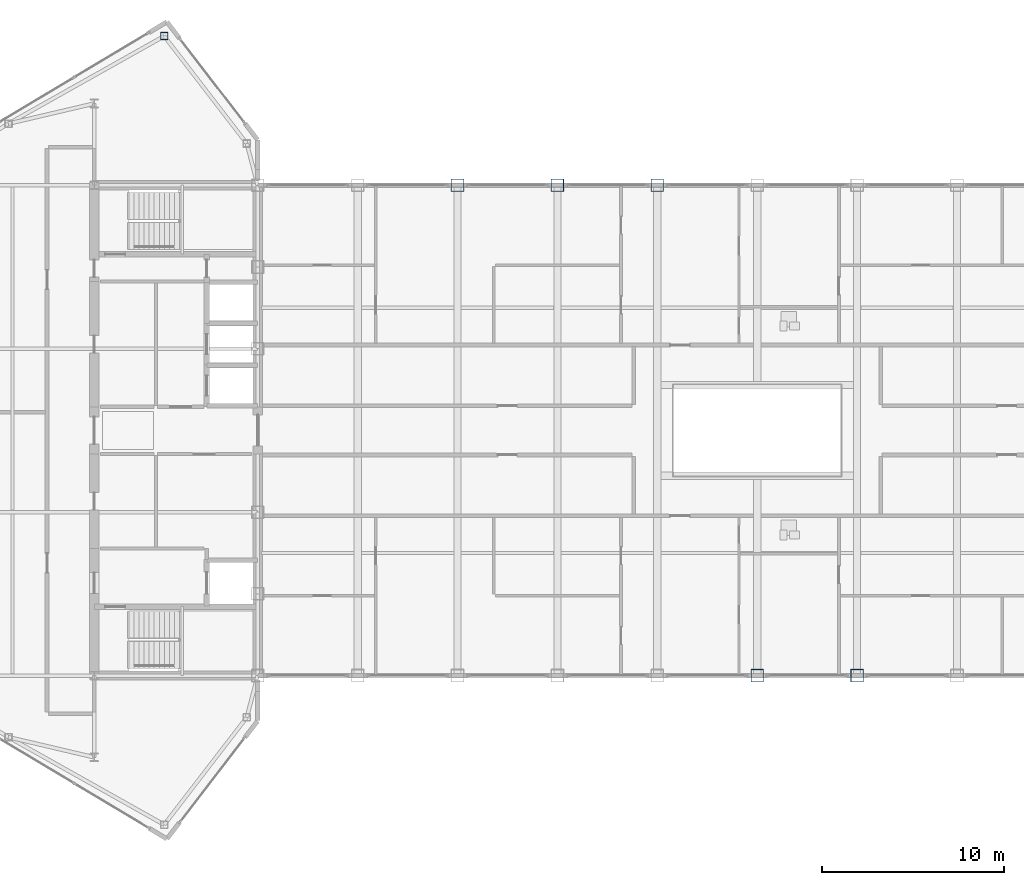
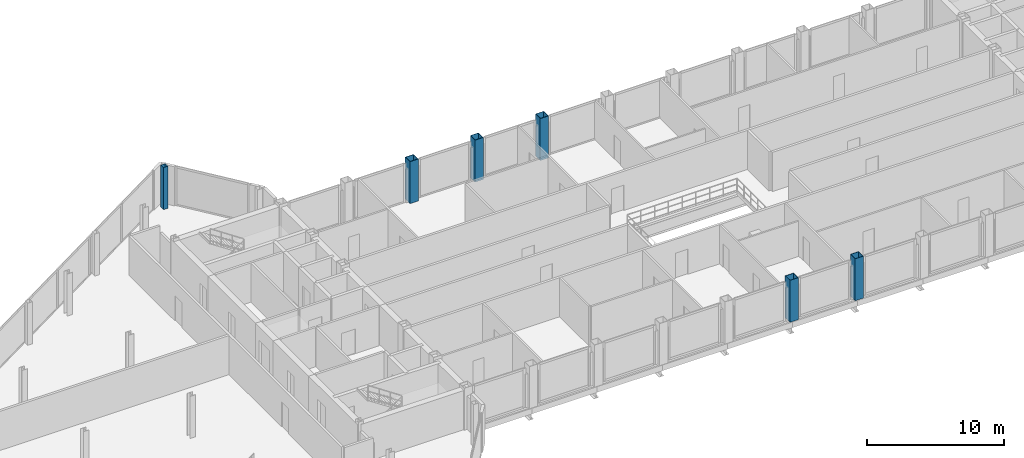
# One storey, part 3 of 28: 6 columns.
"""IFC4 building model written with IfcOpenShell, lengths in metres."""

from ifc_helpers import new_model, si_unit, direction, frame, origin, origin_2d, place, context, subcontext, project, spatial, hollow_rectangle, extrude, source, transform, mapped, material, material_profile, profile_set, type_object, type_shapes, element, save


model = new_model("IFC4")

# Units and contexts
model_context = context("Model", 3, precision=1e-05, world=origin(), true_north=direction((0.0, 1.0)))
body_context = subcontext(model_context, "Body", "Model", "MODEL_VIEW")
ifc_project = project(units=[si_unit("LENGTHUNIT", "METRE"), si_unit("AREAUNIT", "SQUARE_METRE"), si_unit("VOLUMEUNIT", "CUBIC_METRE"), si_unit("PLANEANGLEUNIT", "RADIAN"), si_unit("MASSUNIT", "GRAM", prefix="KILO")], contexts=[model_context])

# Site, building, storey
site_placement = place(None, origin())
site = spatial("IfcSite", under=ifc_project, at=site_placement, CompositionType="ELEMENT")
building_placement = place(site_placement, origin())
building = spatial("IfcBuilding", under=site, at=building_placement, Name="Seokmaru Belvedere", CompositionType="ELEMENT")
storey_placement = place(building_placement, frame((0.0, 0.0, 265.64990234375)))
storey = spatial("IfcBuildingStorey", under=building, at=storey_placement, Name="L70", CompositionType="ELEMENT", Elevation=265.64990234375)

# Columns
ifc_material = material(Name="Steel SM355 (355 MPa)", Category="steel")
ifc_material_profile_1 = material_profile(ifc_material, hollow_rectangle(XDim=0.699951171875, YDim=0.699951171875, WallThickness=0.030029296875, at=origin_2d()), Name="BOX-700x700x30")
ifc_profile_set_1 = profile_set([ifc_material_profile_1], Name="Steel SM355 (355 MPa)")
column_type_1 = type_object("IfcColumnType", Name="Upper Spine Column BOX-700", PredefinedType="COLUMN", material=ifc_profile_set_1)
shared_shape_1 = source(origin(), body_context, "Body", "SweptSolid", [
    extrude(hollow_rectangle(XDim=0.699951171875, YDim=0.699951171875, WallThickness=0.030029296875, at=origin_2d()), origin(), (0.0, 0.0, 1.0), 3.75),
])
type_shapes(column_type_1, [shared_shape_1])
for number, where, z_axis, x_axis, name in (
    (1, (-16.5, 13.5, 0.0), (0.0, 0.0, 1.0), (1.0, 0.0, 0.0), "L70 Column BRN_2"),
    (2, (-11.0, 13.5, 0.0), (0.0, 0.0, 1.0), (1.0, 0.0, 0.0), "L70 Column BRN_3"),
    (3, (-5.5, 13.5, 0.0), (0.0, 0.0, 1.0), (1.0, 0.0, 0.0), "L70 Column BRN_4"),
    (4, (0.0, -13.5, 0.0), (0.0, 0.0, 1.0), (1.0, 0.0, 0.0), "L70 Column BRS_5"),
    (5, (5.5, -13.5, 0.0), (0.0, 0.0, 1.0), (1.0, 0.0, 0.0), "L70 Column BRS_6"),
):
    element("IfcColumn", number, at=place(storey_placement, frame(where, z_axis=z_axis, x_axis=x_axis)), inside=storey, type_object=column_type_1, Name=name, PredefinedType="COLUMN", context=body_context, shape_type="MappedRepresentation", body=[
        mapped(shared_shape_1, transform((0.0, 0.0, 0.0), scale=1.0)),
    ])
ifc_material_profile_2 = material_profile(ifc_material, hollow_rectangle(XDim=0.39990234375, YDim=0.39990234375, WallThickness=0.01611328125, at=origin_2d()), Name="HSS-400x400x16")
ifc_profile_set_2 = profile_set([ifc_material_profile_2], Name="Steel SM355 (355 MPa)")
column_type_2 = type_object("IfcColumnType", Name="Perimeter Facet Column HSS-400", PredefinedType="COLUMN", material=ifc_profile_set_2)
shared_shape_2 = source(origin(), body_context, "Body", "SweptSolid", [
    extrude(hollow_rectangle(XDim=0.39990234375, YDim=0.39990234375, WallThickness=0.01611328125, at=origin_2d()), origin(), (0.0, 0.0, 1.0), 3.75),
])
type_shapes(column_type_2, [shared_shape_2])
column_placement = place(storey_placement, frame((-32.649658203125, 21.71044921875, 0.0), z_axis=(0.0, 0.0, 1.0), x_axis=(1.0, 0.0, 0.0)))
element("IfcColumn", 6, at=column_placement, inside=storey, type_object=column_type_2, Name="L70 Column WF3", PredefinedType="COLUMN", context=body_context, shape_type="MappedRepresentation", body=[
    mapped(shared_shape_2, transform((0.0, 0.0, 0.0), scale=1.0)),
])

save(model, "model.ifc")
